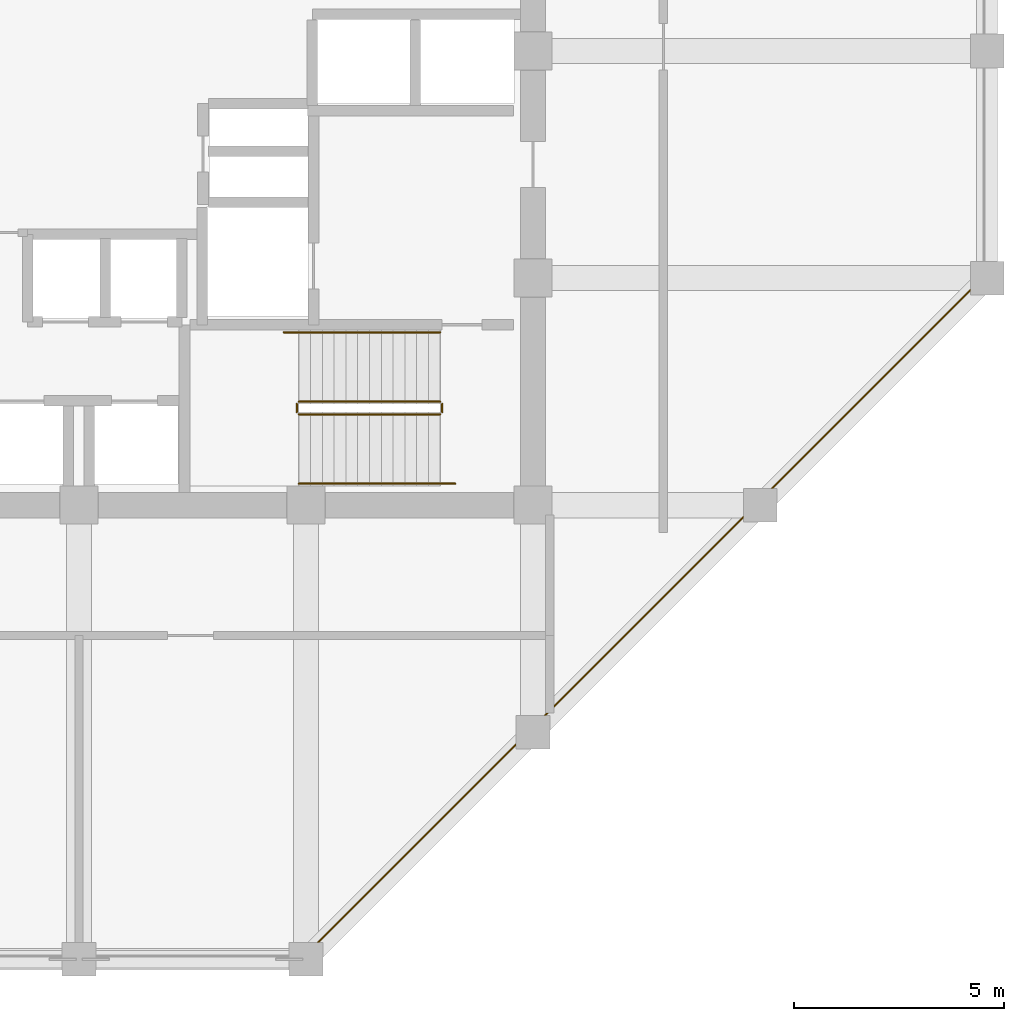
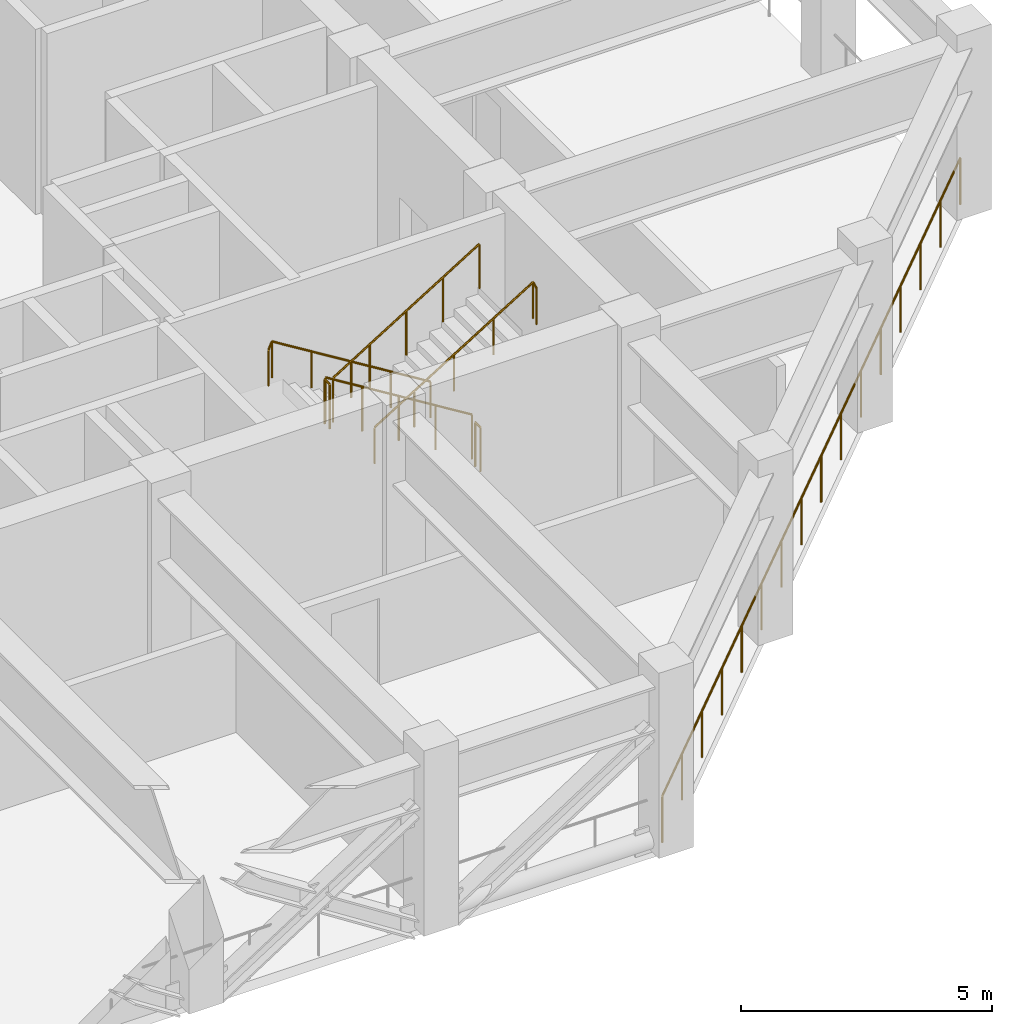
# One storey, part 9 of 11: 7 railings.
"""IFC4 building model written with IfcOpenShell, lengths in metres."""

import ifcopenshell
import ifcopenshell.guid

model = None  # the IFC model being written
_history = None  # IfcOwnerHistory: only IFC2X3 demands one
_inside = {}  # id of a spatial element -> (the spatial element, [elements in it])
_under = {}  # id of a project, library or spatial element -> (it, [spatial elements below it])
_declared = {}  # id of a project -> (the project, [libraries it declares])
_typed = {}  # id of a type object -> (the type object, [elements of that type])
_made_of = {}  # id of a material, layer set ... -> (it, [elements and type objects made of it])


def new_model(schema):
    """Start an empty IFC model of exactly this schema.

    Asked for "IFC4X3", IfcOpenShell would pick the latest addendum, in which some entities
    have other attributes; the version numbers below select the first issue.
    IFC2X3 requires an IfcOwnerHistory on every rooted entity: one is made here for all.
    """
    global model, _history
    if schema == "IFC4X3":
        model = ifcopenshell.file(schema_version=(4, 3, 0, 0))
    else:
        model = ifcopenshell.file(schema=schema)
    _inside.clear()
    _under.clear()
    _declared.clear()
    _typed.clear()
    _made_of.clear()
    _history = None
    if model.schema == "IFC2X3":
        org = make("IfcOrganization", Name="unknown")
        user = make(
            "IfcPersonAndOrganization",
            ThePerson=make("IfcPerson", FamilyName="unknown"),
            TheOrganization=org,
        )
        app = make(
            "IfcApplication",
            ApplicationDeveloper=org,
            Version="unknown",
            ApplicationFullName="unknown",
            ApplicationIdentifier="unknown",
        )
        _history = make(
            "IfcOwnerHistory",
            OwningUser=user,
            OwningApplication=app,
            ChangeAction="ADDED",
            CreationDate=0,
        )
    return model


def make(cls, **values):
    """One entity of the class cls with the attributes given. An attribute that is None is left unset."""
    return model.create_entity(
        cls, **{name: value for name, value in values.items() if value is not None}
    )


def rooted(cls, **values):
    """An entity with a GlobalId (a new one), such as an element, a storey or a relation."""
    return make(cls, GlobalId=ifcopenshell.guid.new(), OwnerHistory=_history, **values)


def si_unit(unit_type, name, prefix=None):
    """IfcSIUnit, for example si_unit("LENGTHUNIT", "METRE", prefix="MILLI")."""
    return make("IfcSIUnit", UnitType=unit_type, Prefix=prefix, Name=name)


def assignment(units):
    """IfcUnitAssignment: the units of a project."""
    return None if units is None else make("IfcUnitAssignment", Units=units)


def point(xyz):
    """IfcCartesianPoint."""
    return None if xyz is None else make("IfcCartesianPoint", Coordinates=xyz)


def direction(xyz):
    """IfcDirection."""
    return None if xyz is None else make("IfcDirection", DirectionRatios=xyz)


def frame(location, z_axis=None, x_axis=None):
    """IfcAxis2Placement3D, a coordinate frame: its origin and axes. An axis left out is left unset."""
    return make(
        "IfcAxis2Placement3D",
        Location=point(location),
        Axis=direction(z_axis),
        RefDirection=direction(x_axis),
    )


def frame_2d(location, x_axis=None):
    """IfcAxis2Placement2D, a coordinate frame in the plane: its origin and x axis."""
    return make(
        "IfcAxis2Placement2D", Location=point(location), RefDirection=direction(x_axis)
    )


def origin():
    """The frame at (0, 0, 0) with its axes left unset."""
    return frame((0.0, 0.0, 0.0))


def origin_2d():
    """The frame at (0, 0) in the plane with its x axis left unset."""
    return frame_2d((0.0, 0.0))


def place(relative_to, where):
    """IfcLocalPlacement: puts the frame where relative to a parent placement (None: the world)."""
    return make(
        "IfcLocalPlacement", PlacementRelTo=relative_to, RelativePlacement=where
    )


def context(
    kind, dimensions, precision=None, world=None, true_north=None, identifier=None
):
    """IfcGeometricRepresentationContext, for example the 3D "Model" context."""
    return make(
        "IfcGeometricRepresentationContext",
        ContextIdentifier=identifier,
        ContextType=kind,
        CoordinateSpaceDimension=dimensions,
        Precision=precision,
        WorldCoordinateSystem=world,
        TrueNorth=true_north,
    )


def subcontext(parent, identifier, kind, view, scale=None):
    """IfcGeometricRepresentationSubContext, for example "Body" below "Model"."""
    return make(
        "IfcGeometricRepresentationSubContext",
        ContextIdentifier=identifier,
        ContextType=kind,
        ParentContext=parent,
        TargetScale=scale,
        TargetView=view,
    )


def project(units=None, contexts=None):
    """IfcProject with its units and contexts."""
    return rooted(
        "IfcProject",
        Name="project",
        RepresentationContexts=contexts,
        UnitsInContext=assignment(units),
    )


def spatial(cls, under=None, at=None, **own):
    """A site, building, storey or space (cls), placed at a placement, below another one or the project."""
    s = rooted(cls, ObjectPlacement=at, **own)
    if under is not None:
        _under.setdefault(under.id(), (under, []))[1].append(s)
    return s


def profile(cls, at=None, kind="AREA", **sizes):
    """A parametric profile (cls). Its sizes go by their IFC names, for example OverallWidth=200.0."""
    return make(cls, ProfileType=kind, Position=at, **sizes)


def circle(**sizes):
    """IfcCircleProfileDef."""
    return profile("IfcCircleProfileDef", **sizes)


def extrude(swept, where, along, depth):
    """IfcExtrudedAreaSolid: the profile swept, set in the frame where, extruded along a direction by depth."""
    return make(
        "IfcExtrudedAreaSolid",
        SweptArea=swept,
        Position=where,
        ExtrudedDirection=direction(along),
        Depth=depth,
    )


def shape(context_of_items, identifier, shape_type, items):
    """IfcShapeRepresentation: the items that make up one representation, for example the "Body"."""
    return make(
        "IfcShapeRepresentation",
        ContextOfItems=context_of_items,
        RepresentationIdentifier=identifier,
        RepresentationType=shape_type,
        Items=items,
    )


def material(Name=None, Category=None):
    """IfcMaterial."""
    return make("IfcMaterial", Name=Name, Category=Category)


def made_of(thing, what):
    """Note that an element or type object is made of a material, layer set ...; save() writes the relation."""
    if what is not None:
        _made_of.setdefault(what.id(), (what, []))[1].append(thing)
    return thing


def type_object(cls, material=None, **own):
    """A type object (cls), such as IfcWallType, which elements share."""
    return made_of(rooted(cls, **own), material)


def element(
    cls,
    number,
    at=None,
    inside=None,
    cuts=None,
    type_object=None,
    material=None,
    context=None,
    identifier="Body",
    shape_type=None,
    held_by="IfcProductDefinitionShape",
    body=None,
    shapes=None,
    **own,
):
    """One element of the class cls, such as IfcWall. Its Tag is "e" and its number.

    at: its placement. inside: the storey or other place that contains it. cuts: it is an
    opening in that element (IfcRelVoidsElement). A single representation is given by context,
    identifier, shape_type and body (its items); several are given by shapes. held_by: the class
    of the entity that holds the representations. save() writes the other relations.
    """
    e = rooted(cls, Tag="e%d" % number, ObjectPlacement=at, **own)
    if body is not None:
        shapes = [shape(context, identifier, shape_type, body)]
    if shapes is not None:
        e.Representation = make(held_by, Representations=shapes)
    if inside is not None:
        _inside.setdefault(inside.id(), (inside, []))[1].append(e)
    if cuts is not None:
        rooted(
            "IfcRelVoidsElement", RelatingBuildingElement=cuts, RelatedOpeningElement=e
        )
    if type_object is not None:
        _typed.setdefault(type_object.id(), (type_object, []))[1].append(e)
    return made_of(e, material)


def aggregate(whole, parts):
    """IfcRelAggregates: a whole, such as a stair, and the parts it consists of."""
    return rooted("IfcRelAggregates", RelatingObject=whole, RelatedObjects=parts)


def save(model, path):
    """Write the relations noted so far, then the file.

    IfcRelAggregates (storeys below a building ...), IfcRelContainedInSpatialStructure (elements
    in a storey), IfcRelDefinesByType, IfcRelAssociatesMaterial and IfcRelDeclares: one each for
    every whole, place, type object, material and project.
    """
    for whole, parts in _under.values():
        aggregate(whole, parts)
    for where, things in _inside.values():
        rooted(
            "IfcRelContainedInSpatialStructure",
            RelatedElements=things,
            RelatingStructure=where,
        )
    for kind, things in _typed.values():
        rooted("IfcRelDefinesByType", RelatedObjects=things, RelatingType=kind)
    for what, things in _made_of.values():
        rooted("IfcRelAssociatesMaterial", RelatedObjects=things, RelatingMaterial=what)
    for by, libraries in _declared.values():
        rooted("IfcRelDeclares", RelatingContext=by, RelatedDefinitions=libraries)
    model.write(path)


model = new_model("IFC4")

# Units and contexts
model_context = context("Model", 3, precision=1e-05, world=origin(), true_north=direction((0.0, 1.0)))
body_context = subcontext(model_context, "Body", "Model", "MODEL_VIEW")
ifc_project = project(units=[si_unit("LENGTHUNIT", "METRE"), si_unit("AREAUNIT", "SQUARE_METRE"), si_unit("VOLUMEUNIT", "CUBIC_METRE"), si_unit("PLANEANGLEUNIT", "RADIAN"), si_unit("MASSUNIT", "GRAM", prefix="KILO")], contexts=[model_context])

# Site, building, storey
site_placement = place(None, origin())
site = spatial("IfcSite", under=ifc_project, at=site_placement, CompositionType="ELEMENT")
building_placement = place(site_placement, origin())
building = spatial("IfcBuilding", under=site, at=building_placement, Name="Surkhivell Harbour Commons", CompositionType="ELEMENT")
storey_placement = place(building_placement, frame((0.0, 0.0, 254.25)))
storey = spatial("IfcBuildingStorey", under=building, at=storey_placement, Name="L66", CompositionType="ELEMENT", Elevation=254.25)

# Railings
ifc_material_1 = material(Name="Laminated safety glass and stainless steel S355 balustrade", Category="steel")
railing_type_1 = type_object("IfcRailingType", Name="RAL-BAL-1150", PredefinedType="BALUSTRADE", material=ifc_material_1)
railing_1_placement = place(storey_placement, frame((5.343505859375, -21.54345703125, 0.0)))
element("IfcRailing", 1, at=railing_1_placement, inside=storey, type_object=railing_type_1, Name="L66 Perimeter Safety Guard 02", PredefinedType="BALUSTRADE", context=body_context, shape_type="SweptSolid", body=[
    extrude(circle(Radius=0.02392578125, at=origin_2d()), frame((0.0, 0.0, 1.1259765625), z_axis=(0.707106781187, 0.707106781187, 0.0), x_axis=(-0.707106781187, 0.707106781187, 0.0)), (0.0, 0.0, 1.0), 22.91015625),
    extrude(circle(Radius=0.02099609375, at=origin_2d()), origin(), (0.0, 0.0, 1.0), 1.101806640625),
    extrude(circle(Radius=0.02099609375, at=origin_2d()), frame((1.080078125, 1.080078125, 0.0)), (0.0, 0.0, 1.0), 1.101806640625),
    extrude(circle(Radius=0.02099609375, at=origin_2d()), frame((2.159912109375, 2.159912109375, 0.0)), (0.0, 0.0, 1.0), 1.101806640625),
    extrude(circle(Radius=0.02099609375, at=origin_2d()), frame((3.239990234375, 3.239990234375, 0.0)), (0.0, 0.0, 1.0), 1.101806640625),
    extrude(circle(Radius=0.02099609375, at=origin_2d()), frame((4.320068359375, 4.320068359375, 0.0)), (0.0, 0.0, 1.0), 1.101806640625),
    extrude(circle(Radius=0.02099609375, at=origin_2d()), frame((5.39990234375, 5.39990234375, 0.0)), (0.0, 0.0, 1.0), 1.101806640625),
    extrude(circle(Radius=0.02099609375, at=origin_2d()), frame((6.47998046875, 6.47998046875, 0.0)), (0.0, 0.0, 1.0), 1.101806640625),
    extrude(circle(Radius=0.02099609375, at=origin_2d()), frame((7.56005859375, 7.56005859375, 0.0)), (0.0, 0.0, 1.0), 1.101806640625),
    extrude(circle(Radius=0.02099609375, at=origin_2d()), frame((8.639892578125, 8.639892578125, 0.0)), (0.0, 0.0, 1.0), 1.101806640625),
    extrude(circle(Radius=0.02099609375, at=origin_2d()), frame((9.719970703125, 9.719970703125, 0.0)), (0.0, 0.0, 1.0), 1.101806640625),
    extrude(circle(Radius=0.02099609375, at=origin_2d()), frame((10.800048828125, 10.800048828125, 0.0)), (0.0, 0.0, 1.0), 1.101806640625),
    extrude(circle(Radius=0.02099609375, at=origin_2d()), frame((11.8798828125, 11.8798828125, 0.0)), (0.0, 0.0, 1.0), 1.101806640625),
    extrude(circle(Radius=0.02099609375, at=origin_2d()), frame((12.9599609375, 12.9599609375, 0.0)), (0.0, 0.0, 1.0), 1.101806640625),
    extrude(circle(Radius=0.02099609375, at=origin_2d()), frame((14.0400390625, 14.0400390625, 0.0)), (0.0, 0.0, 1.0), 1.101806640625),
    extrude(circle(Radius=0.02099609375, at=origin_2d()), frame((15.119873046875, 15.119873046875, 0.0)), (0.0, 0.0, 1.0), 1.101806640625),
    extrude(circle(Radius=0.02099609375, at=origin_2d()), frame((16.199951171875, 16.199951171875, 0.0)), (0.0, 0.0, 1.0), 1.101806640625),
])
ifc_material_2 = material(Name="Galvanised and painted steel S355 guard rail", Category="steel")
railing_type_2 = type_object("IfcRailingType", Name="RAL-ST-GRD1100", PredefinedType="GUARDRAIL", material=ifc_material_2)
railing_2_placement = place(storey_placement, frame((8.590087890625, -8.340087890625, 0.173095703125)))
element("IfcRailing", 2, at=railing_2_placement, inside=storey, type_object=railing_type_2, Name="L66 ST2 stair guard 1", PredefinedType="GUARDRAIL", context=body_context, shape_type="SweptSolid", body=[
    extrude(circle(Radius=0.02392578125, at=origin_2d()), frame((0.0, 0.0, 1.076171875), z_axis=(-0.850623216509, 0.0, 0.525775754039), x_axis=(0.0, -1.0, 0.0)), (0.0, 0.0, 1.0), 3.9501953125),
    extrude(circle(Radius=0.02099609375, at=origin_2d()), origin(), (0.0, 0.0, 1.0), 1.052001953125),
    extrude(circle(Radius=0.02099609375, at=origin_2d()), frame((-0.840087890625, 0.0, 0.519287109375)), (0.0, 0.0, 1.0), 1.052001953125),
    extrude(circle(Radius=0.02099609375, at=origin_2d()), frame((-1.68017578125, 0.0, 1.03857421875)), (0.0, 0.0, 1.0), 1.052001953125),
    extrude(circle(Radius=0.02099609375, at=origin_2d()), frame((-2.52001953125, 0.0, 1.5576171875)), (0.0, 0.0, 1.0), 1.052001953125),
    extrude(circle(Radius=0.02099609375, at=origin_2d()), frame((-3.360107421875, 0.0, 2.076904296875)), (0.0, 0.0, 1.0), 1.052001953125),
])
railing_3_placement = place(storey_placement, frame((5.179931640625, -8.389892578125, 2.25)))
element("IfcRailing", 3, at=railing_3_placement, inside=storey, type_object=railing_type_2, Name="L66 ST2 stair guard 2", PredefinedType="GUARDRAIL", context=body_context, shape_type="SweptSolid", body=[
    extrude(circle(Radius=0.02392578125, at=origin_2d()), frame((0.0, 0.0, 1.076171875), z_axis=(0.0, -1.0, 0.0), x_axis=(1.0, 0.0, 0.0)), (0.0, 0.0, 1.0), 0.2001953125),
    extrude(circle(Radius=0.02099609375, at=origin_2d()), origin(), (0.0, 0.0, 1.0), 1.052001953125),
    extrude(circle(Radius=0.02099609375, at=origin_2d()), frame((0.0, -0.2001953125, 0.0)), (0.0, 0.0, 1.0), 1.052001953125),
])
railing_4_placement = place(storey_placement, frame((5.22998046875, -8.639892578125, 2.423095703125)))
element("IfcRailing", 4, at=railing_4_placement, inside=storey, type_object=railing_type_2, Name="L66 ST2 stair guard 3", PredefinedType="GUARDRAIL", context=body_context, shape_type="SweptSolid", body=[
    extrude(circle(Radius=0.02392578125, at=origin_2d()), frame((0.0, 0.0, 1.076171875), z_axis=(0.850623216509, 0.0, 0.525775754039), x_axis=(0.0, 1.0, 0.0)), (0.0, 0.0, 1.0), 3.9501953125),
    extrude(circle(Radius=0.02099609375, at=origin_2d()), origin(), (0.0, 0.0, 1.0), 1.052001953125),
    extrude(circle(Radius=0.02099609375, at=origin_2d()), frame((0.840087890625, 0.0, 0.519287109375)), (0.0, 0.0, 1.0), 1.052001953125),
    extrude(circle(Radius=0.02099609375, at=origin_2d()), frame((1.68017578125, 0.0, 1.03857421875)), (0.0, 0.0, 1.0), 1.052001953125),
    extrude(circle(Radius=0.02099609375, at=origin_2d()), frame((2.52001953125, 0.0, 1.5576171875)), (0.0, 0.0, 1.0), 1.052001953125),
    extrude(circle(Radius=0.02099609375, at=origin_2d()), frame((3.360107421875, 0.0, 2.076904296875)), (0.0, 0.0, 1.0), 1.052001953125),
])
railing_5_placement = place(storey_placement, frame((8.639892578125, -8.389892578125, 0.0)))
element("IfcRailing", 5, at=railing_5_placement, inside=storey, type_object=railing_type_2, Name="L66 ST2 stair guard 4", PredefinedType="GUARDRAIL", context=body_context, shape_type="SweptSolid", body=[
    extrude(circle(Radius=0.02392578125, at=origin_2d()), frame((0.0, 0.0, 1.076171875), z_axis=(0.0, -1.0, 0.0), x_axis=(1.0, 0.0, 0.0)), (0.0, 0.0, 1.0), 0.2001953125),
    extrude(circle(Radius=0.02099609375, at=origin_2d()), origin(), (0.0, 0.0, 1.0), 1.052001953125),
    extrude(circle(Radius=0.02099609375, at=origin_2d()), frame((0.0, -0.2001953125, 0.0)), (0.0, 0.0, 1.0), 1.052001953125),
])
ifc_material_3 = material(Name="Brushed stainless steel S355 handrail", Category="steel")
railing_type_3 = type_object("IfcRailingType", Name="RAL-ST-HND900", PredefinedType="HANDRAIL", material=ifc_material_3)
railing_6_placement = place(storey_placement, frame((8.590087890625, -6.68994140625, 0.173095703125)))
element("IfcRailing", 6, at=railing_6_placement, inside=storey, type_object=railing_type_3, Name="L66 ST2 stair handrail 1", PredefinedType="HANDRAIL", context=body_context, shape_type="SweptSolid", body=[
    extrude(circle(Radius=0.02392578125, at=origin_2d()), frame((0.0, 0.0, 0.8759765625), z_axis=(-0.850622404505, 0.0, 0.525777067734), x_axis=(0.0, -1.0, 0.0)), (0.0, 0.0, 1.0), 4.279296875),
    extrude(circle(Radius=0.02392578125, at=origin_2d()), frame((-3.64013671875, 0.0, 3.1259765625), z_axis=(-0.418814502111, 0.0, -0.908071810388), x_axis=(0.0, -1.0, 0.0)), (0.0, 0.0, 1.0), 0.190673828125),
    extrude(circle(Radius=0.02099609375, at=origin_2d()), origin(), (0.0, 0.0, 1.0), 0.851806640625),
    extrude(circle(Radius=0.02099609375, at=origin_2d()), frame((-0.91015625, 0.0, 0.5625)), (0.0, 0.0, 1.0), 0.851806640625),
    extrude(circle(Radius=0.02099609375, at=origin_2d()), frame((-1.820068359375, 0.0, 1.125)), (0.0, 0.0, 1.0), 0.851806640625),
    extrude(circle(Radius=0.02099609375, at=origin_2d()), frame((-2.72998046875, 0.0, 1.6875)), (0.0, 0.0, 1.0), 0.851806640625),
    extrude(circle(Radius=0.02099609375, at=origin_2d()), frame((-3.64013671875, 0.0, 2.25)), (0.0, 0.0, 1.0), 0.851806640625),
    extrude(circle(Radius=0.02099609375, at=origin_2d()), frame((-3.719970703125, 0.0, 2.076904296875)), (0.0, 0.0, 1.0), 0.851806640625),
])
railing_7_placement = place(storey_placement, frame((5.22998046875, -10.2900390625, 2.423095703125)))
element("IfcRailing", 7, at=railing_7_placement, inside=storey, type_object=railing_type_3, Name="L66 ST2 stair handrail 2", PredefinedType="HANDRAIL", context=body_context, shape_type="SweptSolid", body=[
    extrude(circle(Radius=0.02392578125, at=origin_2d()), frame((0.0, 0.0, 0.8759765625), z_axis=(0.850622404505, 0.0, 0.525777067734), x_axis=(0.0, 1.0, 0.0)), (0.0, 0.0, 1.0), 4.279296875),
    extrude(circle(Radius=0.02392578125, at=origin_2d()), frame((3.64013671875, 0.0, 3.1259765625), z_axis=(0.418814502111, 0.0, -0.908071810388), x_axis=(0.0, 1.0, 0.0)), (0.0, 0.0, 1.0), 0.190673828125),
    extrude(circle(Radius=0.02099609375, at=origin_2d()), origin(), (0.0, 0.0, 1.0), 0.851806640625),
    extrude(circle(Radius=0.02099609375, at=origin_2d()), frame((0.91015625, 0.0, 0.5625)), (0.0, 0.0, 1.0), 0.851806640625),
    extrude(circle(Radius=0.02099609375, at=origin_2d()), frame((1.820068359375, 0.0, 1.125)), (0.0, 0.0, 1.0), 0.851806640625),
    extrude(circle(Radius=0.02099609375, at=origin_2d()), frame((2.72998046875, 0.0, 1.6875)), (0.0, 0.0, 1.0), 0.851806640625),
    extrude(circle(Radius=0.02099609375, at=origin_2d()), frame((3.64013671875, 0.0, 2.25)), (0.0, 0.0, 1.0), 0.851806640625),
    extrude(circle(Radius=0.02099609375, at=origin_2d()), frame((3.719970703125, 0.0, 2.076904296875)), (0.0, 0.0, 1.0), 0.851806640625),
])

save(model, "model.ifc")
